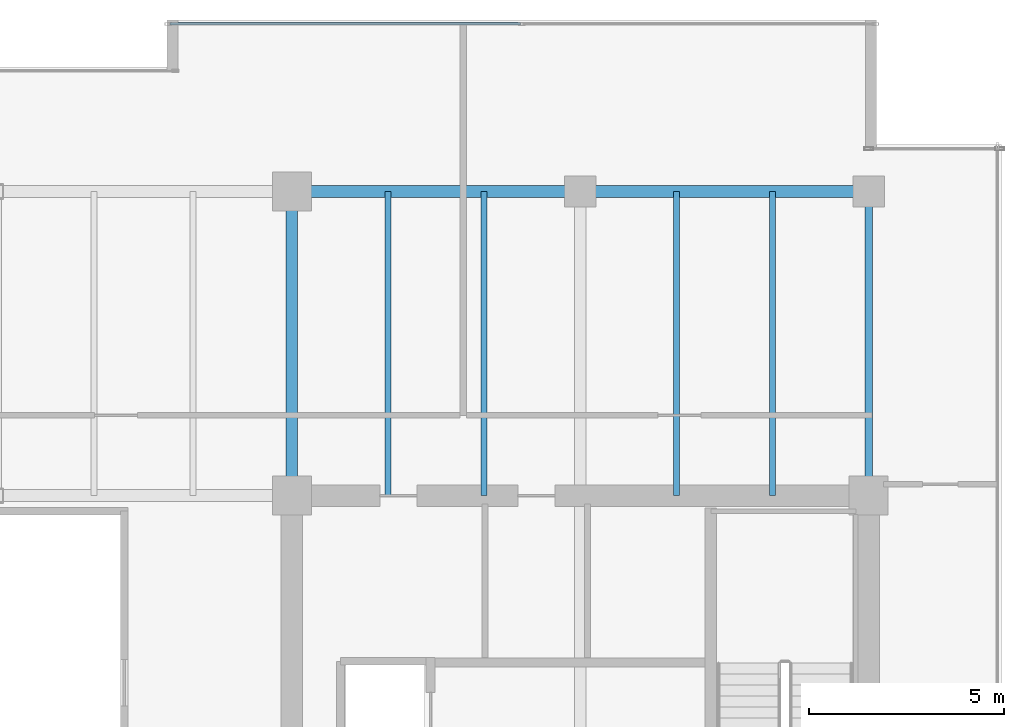
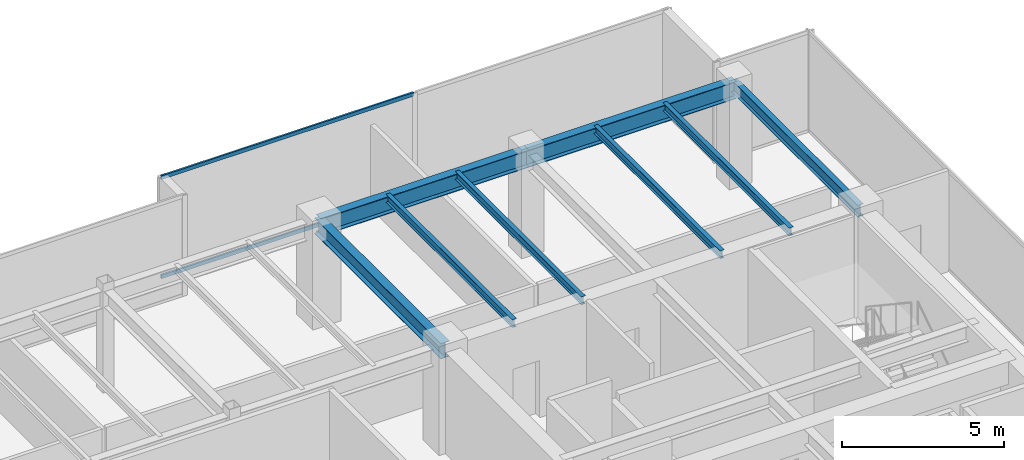
# One storey, part 20 of 33: 8 beams, 2 members, 1 element without a shape of its own.
"""IFC4 building model written with IfcOpenShell, lengths in metres."""

from ifc_helpers import new_model, si_unit, direction, frame, origin, origin_2d, place, context, subcontext, project, spatial, hollow_rectangle, i_section, extrude, source, transform, mapped, material, layer, layer_set, material_profile, profile_set, type_object, type_shapes, element, aggregate, save


model = new_model("IFC4")

# Units and contexts
model_context = context("Model", 3, precision=1e-05, world=origin(), true_north=direction((0.0, 1.0)))
body_context = subcontext(model_context, "Body", "Model", "MODEL_VIEW")
ifc_project = project(units=[si_unit("LENGTHUNIT", "METRE"), si_unit("AREAUNIT", "SQUARE_METRE"), si_unit("VOLUMEUNIT", "CUBIC_METRE"), si_unit("PLANEANGLEUNIT", "RADIAN"), si_unit("MASSUNIT", "GRAM", prefix="KILO")], contexts=[model_context])

# Site, building, storey
site_placement = place(None, origin())
site = spatial("IfcSite", under=ifc_project, at=site_placement, CompositionType="ELEMENT")
building_placement = place(site_placement, origin())
building = spatial("IfcBuilding", under=site, at=building_placement, Name="Haelvirn Gate Laboratories", CompositionType="ELEMENT")
storey_placement = place(building_placement, frame((0.0, 0.0, 213.699951171875)))
storey = spatial("IfcBuildingStorey", under=building, at=storey_placement, Name="L51", CompositionType="ELEMENT", Elevation=213.699951171875)

# Beams
ifc_material_1 = material(Name="Steel SM355", Category="steel")
ifc_material_profile_1 = material_profile(ifc_material_1, i_section(OverallWidth=0.14990234375, OverallDepth=0.300048828125, WebThickness=0.006591796875, FlangeThickness=0.009033203125, at=origin_2d()), Name="H-300x150x6.5x9")
ifc_profile_set_1 = profile_set([ifc_material_profile_1], Name="Steel SM355")
beam_type_1 = type_object("IfcBeamType", Name="BM-J-300", PredefinedType="JOIST", material=ifc_profile_set_1)
shared_shape_1 = source(origin(), body_context, "Body", "SweptSolid", [
    extrude(i_section(OverallWidth=0.14990234375, OverallDepth=0.300048828125, WebThickness=0.006591796875, FlangeThickness=0.009033203125, at=origin_2d()), origin(), (0.0, 0.0, 1.0), 7.800048828125),
])
type_shapes(beam_type_1, [shared_shape_1])
for number, where, z_axis, x_axis, name in (
    (1, (55.070068359375, 33.800048828125, 3.650146484375), (0.0, 1.0, 0.0), (-1.0, 0.0, 0.0), "L51 Composite Lab Joist North X55.07"),
    (2, (57.530029296875, 33.800048828125, 3.650146484375), (0.0, 1.0, 0.0), (-1.0, 0.0, 0.0), "L51 Composite Lab Joist North X57.53"),
    (3, (62.469970703125, 33.800048828125, 3.650146484375), (0.0, 1.0, 0.0), (-1.0, 0.0, 0.0), "L51 Composite Lab Joist North X62.47"),
    (4, (64.929931640625, 33.800048828125, 3.650146484375), (0.0, 1.0, 0.0), (-1.0, 0.0, 0.0), "L51 Composite Lab Joist North X64.93"),
):
    element("IfcBeam", number, at=place(storey_placement, frame(where, z_axis=z_axis, x_axis=x_axis)), inside=storey, type_object=beam_type_1, Name=name, PredefinedType="JOIST", context=body_context, shape_type="MappedRepresentation", body=[
        mapped(shared_shape_1, transform((0.0, 0.0, 0.0), scale=1.0)),
    ])
ifc_material_profile_2 = material_profile(ifc_material_1, i_section(OverallWidth=0.300048828125, OverallDepth=0.587890625, WebThickness=0.011962890625, FlangeThickness=0.02001953125, at=origin_2d()), Name="H-588x300x12x20")
ifc_profile_set_2 = profile_set([ifc_material_profile_2], Name="Steel SM355")
beam_type_2 = type_object("IfcBeamType", Name="BM-G-588", PredefinedType="BEAM", material=ifc_profile_set_2)
shared_shape_2 = source(origin(), body_context, "Body", "SweptSolid", [
    extrude(i_section(OverallWidth=0.300048828125, OverallDepth=0.587890625, WebThickness=0.011962890625, FlangeThickness=0.02001953125, at=origin_2d()), origin(), (0.0, 0.0, 1.0), 7.800048828125),
])
type_shapes(beam_type_2, [shared_shape_2])
beam_1_placement = place(storey_placement, frame((52.60009765625, 33.800048828125, 3.506103515625), z_axis=(0.0, 1.0, 0.0), x_axis=(-1.0, 0.0, 0.0)))
element("IfcBeam", 5, at=beam_1_placement, inside=storey, type_object=beam_type_2, Name="L51 Frame Girder X52.6 (33.8-41.6)", PredefinedType="BEAM", context=body_context, shape_type="MappedRepresentation", body=[
    mapped(shared_shape_2, transform((0.0, 0.0, 0.0), scale=1.0)),
])
ifc_material_profile_3 = material_profile(ifc_material_1, i_section(OverallWidth=0.300048828125, OverallDepth=0.64990234375, WebThickness=0.012939453125, FlangeThickness=0.02197265625, at=origin_2d()), Name="H-650x300x13x22")
ifc_profile_set_3 = profile_set([ifc_material_profile_3], Name="Steel SM355")
beam_type_3 = type_object("IfcBeamType", Name="BM-G-650", PredefinedType="BEAM", material=ifc_profile_set_3)
shared_shape_3 = source(origin(), body_context, "Body", "SweptSolid", [
    extrude(i_section(OverallWidth=0.300048828125, OverallDepth=0.64990234375, WebThickness=0.012939453125, FlangeThickness=0.02197265625, at=origin_2d()), origin(), (0.0, 0.0, 1.0), 7.39990234375),
])
type_shapes(beam_type_3, [shared_shape_3])
for number, where, z_axis, x_axis, name in (
    (6, (52.60009765625, 41.60009765625, 3.47509765625), (1.0, 0.0, 0.0), (0.0, 1.0, 0.0), "L51 Primary Girder Y41.6 (52.6-60.0)"),
    (7, (60.0, 41.60009765625, 3.47509765625), (1.0, 0.0, 0.0), (0.0, 1.0, 0.0), "L51 Primary Girder Y41.6 (60.0-67.4)"),
):
    element("IfcBeam", number, at=place(storey_placement, frame(where, z_axis=z_axis, x_axis=x_axis)), inside=storey, type_object=beam_type_3, Name=name, PredefinedType="BEAM", context=body_context, shape_type="MappedRepresentation", body=[
        mapped(shared_shape_3, transform((0.0, 0.0, 0.0), scale=1.0)),
    ])
ifc_material_profile_4 = material_profile(ifc_material_1, i_section(OverallWidth=0.199951171875, OverallDepth=0.449951171875, WebThickness=0.009033203125, FlangeThickness=0.013916015625, at=origin_2d()), Name="H-450x200x9x14")
ifc_profile_set_4 = profile_set([ifc_material_profile_4], Name="Steel SM355")
beam_type_4 = type_object("IfcBeamType", Name="BM-SP-450", PredefinedType="SPANDREL", material=ifc_profile_set_4)
shared_shape_4 = source(origin(), body_context, "Body", "SweptSolid", [
    extrude(i_section(OverallWidth=0.199951171875, OverallDepth=0.449951171875, WebThickness=0.009033203125, FlangeThickness=0.013916015625, at=origin_2d()), origin(), (0.0, 0.0, 1.0), 7.800048828125),
])
type_shapes(beam_type_4, [shared_shape_4])
beam_2_placement = place(storey_placement, frame((67.39990234375, 33.800048828125, 3.574951171875), z_axis=(0.0, 1.0, 0.0), x_axis=(-1.0, 0.0, 0.0)))
element("IfcBeam", 8, at=beam_2_placement, inside=storey, type_object=beam_type_4, Name="L51 Perimeter Spandrel X67.4 (33.8-41.6)", PredefinedType="SPANDREL", context=body_context, shape_type="MappedRepresentation", body=[
    mapped(shared_shape_4, transform((0.0, 0.0, 0.0), scale=1.0)),
])

# Curtain wall, members
ifc_material_2 = material(Name="Anodised bronze unitised aluminium & triple low-E glass", Category="aluminium")
ifc_layer = layer(ifc_material_2, 0.176025390625, Name="CW-SYS-4")
ifc_layer_set = layer_set([ifc_layer], Name="Anodised bronze unitised aluminium & triple low-E glass")
curtain_wall_type = type_object("IfcCurtainWallType", Name="CW-SYS-4", PredefinedType="NOTDEFINED", material=ifc_layer_set)
curtain_wall_placement = place(storey_placement, origin())
curtain_wall = element("IfcCurtainWall", 9, at=curtain_wall_placement, inside=storey, type_object=curtain_wall_type, Name="L51 Unitised Curtain Wall CW-L51-P0-E10-1", PredefinedType="NOTDEFINED")
ifc_material_3 = material(Name="Extruded aluminium 6063-T6 (anodised bronze)", Category="aluminium")
ifc_material_profile_5 = material_profile(ifc_material_3, hollow_rectangle(XDim=0.06494140625, YDim=0.139892578125, WallThickness=0.00390625, at=origin_2d()), Name="CWT-140x65x4")
ifc_profile_set_5 = profile_set([ifc_material_profile_5], Name="Extruded aluminium 6063-T6 (anodised bronze)")
member_type = type_object("IfcMemberType", Name="CWT-T140", PredefinedType="USERDEFINED", material=ifc_profile_set_5)
shared_shape_5 = source(origin(), body_context, "Body", "SweptSolid", [
    extrude(hollow_rectangle(XDim=0.06494140625, YDim=0.139892578125, WallThickness=0.00390625, at=origin_2d()), origin(), (0.0, 0.0, 1.0), 8.9951171875),
])
type_shapes(member_type, [shared_shape_5])
member_1_placement = place(storey_placement, frame((49.469970703125, 45.89990234375, 0.032470703125), z_axis=(1.0, 0.0, 0.0), x_axis=(0.0, 1.0, 0.0)))
member_1 = element("IfcMember", 10, at=member_1_placement, type_object=member_type, Name="CW4 transom 1.1", ObjectType="TRANSOM", PredefinedType="USERDEFINED", context=body_context, shape_type="MappedRepresentation", body=[
    mapped(shared_shape_5, transform((0.0, 0.0, 0.0), scale=1.0)),
])
member_2_placement = place(storey_placement, frame((49.469970703125, 45.89990234375, 3.767578125), z_axis=(1.0, 0.0, 0.0), x_axis=(0.0, 1.0, 0.0)))
member_2 = element("IfcMember", 11, at=member_2_placement, type_object=member_type, Name="CW4 transom 1.2", ObjectType="TRANSOM", PredefinedType="USERDEFINED", context=body_context, shape_type="MappedRepresentation", body=[
    mapped(shared_shape_5, transform((0.0, 0.0, 0.0), scale=1.0)),
])
aggregate(curtain_wall, [member_1, member_2])

save(model, "model.ifc")
